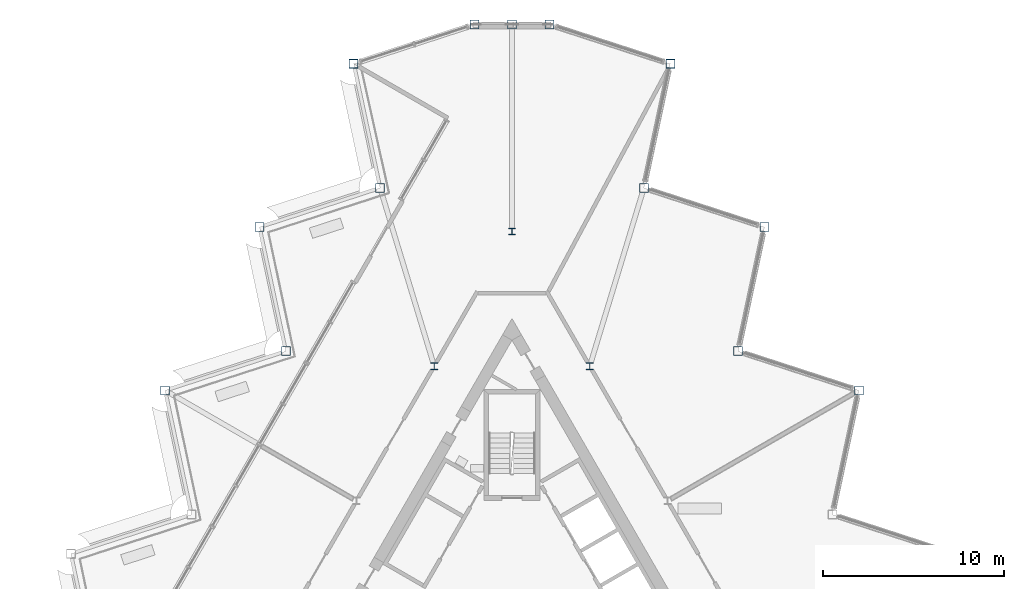
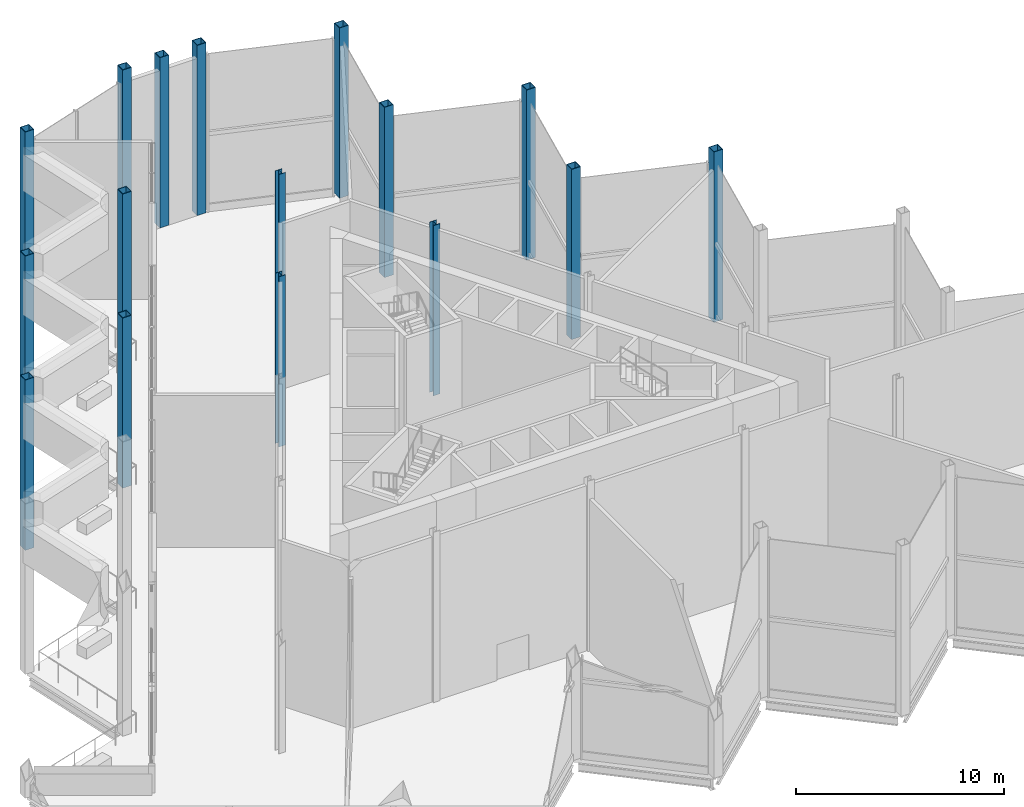
# One storey, part 3 of 18: 16 columns.
"""IFC4 building model written with IfcOpenShell, lengths in metres."""

from ifc_helpers import new_model, si_unit, direction, frame, origin, origin_2d, place, context, subcontext, project, spatial, hollow_rectangle, i_section, extrude, material, material_profile, profile_set, type_object, element, save


model = new_model("IFC4")

# Units and contexts
model_context = context("Model", 3, precision=1e-05, world=origin(), true_north=direction((0.0, 1.0)))
body_context = subcontext(model_context, "Body", "Model", "MODEL_VIEW")
ifc_project = project(units=[si_unit("LENGTHUNIT", "METRE"), si_unit("AREAUNIT", "SQUARE_METRE"), si_unit("VOLUMEUNIT", "CUBIC_METRE"), si_unit("PLANEANGLEUNIT", "RADIAN"), si_unit("MASSUNIT", "GRAM", prefix="KILO")], contexts=[model_context])

# Site, building, storey
site_placement = place(None, origin())
site = spatial("IfcSite", under=ifc_project, at=site_placement, CompositionType="ELEMENT")
building_placement = place(site_placement, origin())
building = spatial("IfcBuilding", under=site, at=building_placement, Name="Cormorant Prow Tower", CompositionType="ELEMENT")
storey_placement = place(building_placement, frame((0.0, 0.0, 405.199951171875)))
storey = spatial("IfcBuildingStorey", under=building, at=storey_placement, Name="L93", CompositionType="ELEMENT", Elevation=405.199951171875)

# Columns
ifc_material_1 = material(Name="Structural steel ASTM A572 Gr 50", Category="steel")
ifc_material_profile_1 = material_profile(ifc_material_1, hollow_rectangle(XDim=0.5, YDim=0.5, WallThickness=0.030029296875, at=origin_2d()), Name="Box 500x500x30")
ifc_profile_set_1 = profile_set([ifc_material_profile_1], Name="Structural steel ASTM A572 Gr 50")
column_type_1 = type_object("IfcColumnType", Name="Perimeter box column 500x500x30", PredefinedType="COLUMN", material=ifc_profile_set_1)
for number, where, z_axis, x_axis, name in (
    (1, (19.128662109375, 11.0439453125, 0.0), (0.0, 0.0, 1.0), (1.0, 0.0, 0.0), "Perimeter column C7 at ENE05 L93"),
    (2, (12.473876953125, 13.206298828125, 0.0), (0.0, 0.0, 1.0), (1.0, 0.0, 0.0), "Perimeter column C7 at ENE06 L93"),
    (3, (13.9287109375, 20.050537109375, 0.0), (0.0, 0.0, 1.0), (1.0, 0.0, 0.0), "Perimeter column C7 at ENE07 L93"),
    (4, (7.273681640625, 22.212890625, 0.0), (0.0, 0.0, 1.0), (1.0, 0.0, 0.0), "Perimeter column C7 at ENE08 L93"),
    (5, (8.728515625, 29.05712890625, 0.0), (0.0, 0.0, 1.0), (1.0, 0.0, 0.0), "Perimeter column C7 at ENE09 L93"),
    (6, (2.07373046875, 31.219482421875, 0.0), (0.0, 0.0, 1.0), (1.0, 0.0, 0.0), "Perimeter column C7 at N00 L93"),
    (7, (0.0, 31.219482421875, 0.0), (0.0, 0.0, 1.0), (1.0, 0.0, 0.0), "Perimeter column C7 at N01 L93"),
    (8, (-2.07373046875, 31.219482421875, 0.0), (0.0, 0.0, 1.0), (1.0, 0.0, 0.0), "Perimeter column C7 at WNW00 L93"),
    (9, (-8.728515625, 29.05712890625, 0.0), (0.0, 0.0, 1.0), (1.0, 0.0, 0.0), "Perimeter column C7 at WNW01 L93"),
    (10, (-7.273681640625, 22.212890625, 0.0), (0.0, 0.0, 1.0), (1.0, 0.0, 0.0), "Perimeter column C7 at WNW02 L93"),
    (11, (-13.9287109375, 20.050537109375, 0.0), (0.0, 0.0, 1.0), (1.0, 0.0, 0.0), "Perimeter column C7 at WNW03 L93"),
    (12, (-12.473876953125, 13.206298828125, 0.0), (0.0, 0.0, 1.0), (1.0, 0.0, 0.0), "Perimeter column C7 at WNW04 L93"),
    (13, (-19.128662109375, 11.0439453125, 0.0), (0.0, 0.0, 1.0), (1.0, 0.0, 0.0), "Perimeter column C7 at WNW05 L93"),
):
    element("IfcColumn", number, at=place(storey_placement, frame(where, z_axis=z_axis, x_axis=x_axis)), inside=storey, type_object=column_type_1, Name=name, PredefinedType="COLUMN", context=body_context, shape_type="SweptSolid", body=[
        extrude(hollow_rectangle(XDim=0.5, YDim=0.5, WallThickness=0.030029296875, at=origin_2d()), origin(), (0.0, 0.0, 1.0), 10.0),
    ])
ifc_material_2 = material(Name="Structural steel ASTM A992 Gr 50", Category="steel")
ifc_material_profile_2 = material_profile(ifc_material_2, i_section(OverallWidth=0.3740234375, OverallDepth=0.372314453125, WebThickness=0.016357421875, FlangeThickness=0.026123046875, at=origin_2d()), Name="W14x132")
ifc_profile_set_2 = profile_set([ifc_material_profile_2], Name="Structural steel ASTM A992 Gr 50")
column_type_2 = type_object("IfcColumnType", Name="Ring column W14x132", PredefinedType="COLUMN", material=ifc_profile_set_2)
for number, where, z_axis, x_axis, name in (
    (14, (0.0, 19.81103515625, 0.0), (0.0, 0.0, 1.0), (1.0, 0.0, 0.0), "Ring column 1 L93"),
    (15, (-4.289306640625, 12.3818359375, 0.0), (0.0, 0.0, 1.0), (1.0, 0.0, 0.0), "Ring column 2 L93"),
    (16, (4.289306640625, 12.3818359375, 0.0), (0.0, 0.0, 1.0), (1.0, 0.0, 0.0), "Ring column 12 L93"),
):
    element("IfcColumn", number, at=place(storey_placement, frame(where, z_axis=z_axis, x_axis=x_axis)), inside=storey, type_object=column_type_2, Name=name, PredefinedType="COLUMN", context=body_context, shape_type="SweptSolid", body=[
        extrude(i_section(OverallWidth=0.3740234375, OverallDepth=0.372314453125, WebThickness=0.016357421875, FlangeThickness=0.026123046875, at=origin_2d()), origin(), (0.0, 0.0, 1.0), 10.0),
    ])

save(model, "model.ifc")
